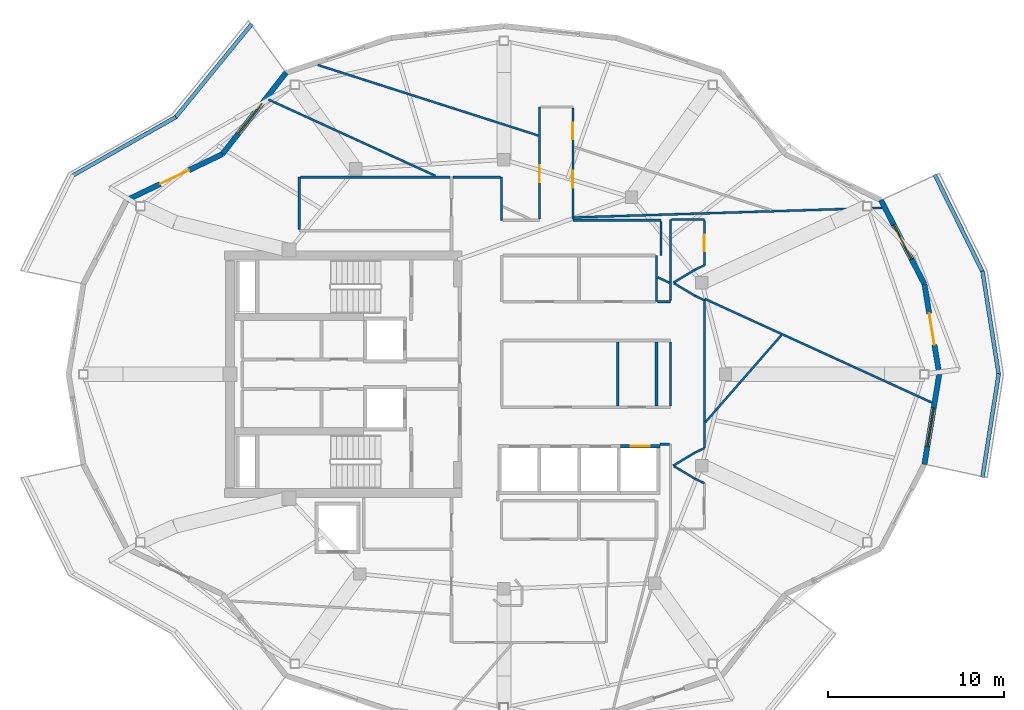
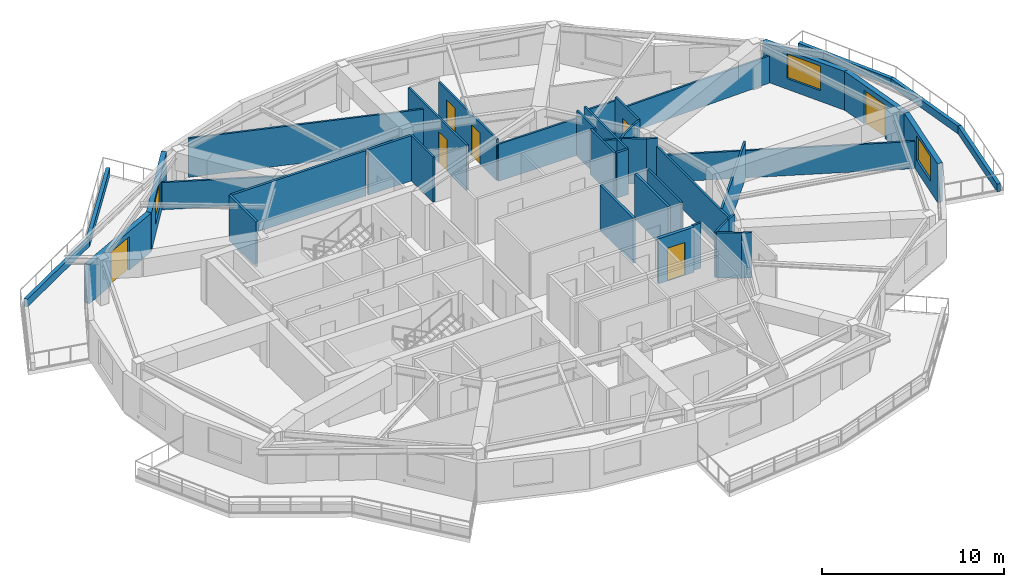
# One storey, part 6 of 11: 43 walls, 7 doors, 3 windows, 10 openings.
"""IFC4 building model written with IfcOpenShell, lengths in metres."""

import ifcopenshell
import ifcopenshell.guid

model = None  # the IFC model being written
_history = None  # IfcOwnerHistory: only IFC2X3 demands one
_inside = {}  # id of a spatial element -> (the spatial element, [elements in it])
_under = {}  # id of a project, library or spatial element -> (it, [spatial elements below it])
_declared = {}  # id of a project -> (the project, [libraries it declares])
_typed = {}  # id of a type object -> (the type object, [elements of that type])
_made_of = {}  # id of a material, layer set ... -> (it, [elements and type objects made of it])


def new_model(schema):
    """Start an empty IFC model of exactly this schema.

    Asked for "IFC4X3", IfcOpenShell would pick the latest addendum, in which some entities
    have other attributes; the version numbers below select the first issue.
    IFC2X3 requires an IfcOwnerHistory on every rooted entity: one is made here for all.
    """
    global model, _history
    if schema == "IFC4X3":
        model = ifcopenshell.file(schema_version=(4, 3, 0, 0))
    else:
        model = ifcopenshell.file(schema=schema)
    _inside.clear()
    _under.clear()
    _declared.clear()
    _typed.clear()
    _made_of.clear()
    _history = None
    if model.schema == "IFC2X3":
        org = make("IfcOrganization", Name="unknown")
        user = make(
            "IfcPersonAndOrganization",
            ThePerson=make("IfcPerson", FamilyName="unknown"),
            TheOrganization=org,
        )
        app = make(
            "IfcApplication",
            ApplicationDeveloper=org,
            Version="unknown",
            ApplicationFullName="unknown",
            ApplicationIdentifier="unknown",
        )
        _history = make(
            "IfcOwnerHistory",
            OwningUser=user,
            OwningApplication=app,
            ChangeAction="ADDED",
            CreationDate=0,
        )
    return model


def make(cls, **values):
    """One entity of the class cls with the attributes given. An attribute that is None is left unset."""
    return model.create_entity(
        cls, **{name: value for name, value in values.items() if value is not None}
    )


def rooted(cls, **values):
    """An entity with a GlobalId (a new one), such as an element, a storey or a relation."""
    return make(cls, GlobalId=ifcopenshell.guid.new(), OwnerHistory=_history, **values)


def si_unit(unit_type, name, prefix=None):
    """IfcSIUnit, for example si_unit("LENGTHUNIT", "METRE", prefix="MILLI")."""
    return make("IfcSIUnit", UnitType=unit_type, Prefix=prefix, Name=name)


def assignment(units):
    """IfcUnitAssignment: the units of a project."""
    return None if units is None else make("IfcUnitAssignment", Units=units)


def point(xyz):
    """IfcCartesianPoint."""
    return None if xyz is None else make("IfcCartesianPoint", Coordinates=xyz)


def direction(xyz):
    """IfcDirection."""
    return None if xyz is None else make("IfcDirection", DirectionRatios=xyz)


def frame(location, z_axis=None, x_axis=None):
    """IfcAxis2Placement3D, a coordinate frame: its origin and axes. An axis left out is left unset."""
    return make(
        "IfcAxis2Placement3D",
        Location=point(location),
        Axis=direction(z_axis),
        RefDirection=direction(x_axis),
    )


def frame_2d(location, x_axis=None):
    """IfcAxis2Placement2D, a coordinate frame in the plane: its origin and x axis."""
    return make(
        "IfcAxis2Placement2D", Location=point(location), RefDirection=direction(x_axis)
    )


def origin():
    """The frame at (0, 0, 0) with its axes left unset."""
    return frame((0.0, 0.0, 0.0))


def place(relative_to, where):
    """IfcLocalPlacement: puts the frame where relative to a parent placement (None: the world)."""
    return make(
        "IfcLocalPlacement", PlacementRelTo=relative_to, RelativePlacement=where
    )


def context(
    kind, dimensions, precision=None, world=None, true_north=None, identifier=None
):
    """IfcGeometricRepresentationContext, for example the 3D "Model" context."""
    return make(
        "IfcGeometricRepresentationContext",
        ContextIdentifier=identifier,
        ContextType=kind,
        CoordinateSpaceDimension=dimensions,
        Precision=precision,
        WorldCoordinateSystem=world,
        TrueNorth=true_north,
    )


def subcontext(parent, identifier, kind, view, scale=None):
    """IfcGeometricRepresentationSubContext, for example "Body" below "Model"."""
    return make(
        "IfcGeometricRepresentationSubContext",
        ContextIdentifier=identifier,
        ContextType=kind,
        ParentContext=parent,
        TargetScale=scale,
        TargetView=view,
    )


def project(units=None, contexts=None):
    """IfcProject with its units and contexts."""
    return rooted(
        "IfcProject",
        Name="project",
        RepresentationContexts=contexts,
        UnitsInContext=assignment(units),
    )


def spatial(cls, under=None, at=None, **own):
    """A site, building, storey or space (cls), placed at a placement, below another one or the project."""
    s = rooted(cls, ObjectPlacement=at, **own)
    if under is not None:
        _under.setdefault(under.id(), (under, []))[1].append(s)
    return s


def profile(cls, at=None, kind="AREA", **sizes):
    """A parametric profile (cls). Its sizes go by their IFC names, for example OverallWidth=200.0."""
    return make(cls, ProfileType=kind, Position=at, **sizes)


def rectangle(**sizes):
    """IfcRectangleProfileDef."""
    return profile("IfcRectangleProfileDef", **sizes)


def extrude(swept, where, along, depth):
    """IfcExtrudedAreaSolid: the profile swept, set in the frame where, extruded along a direction by depth."""
    return make(
        "IfcExtrudedAreaSolid",
        SweptArea=swept,
        Position=where,
        ExtrudedDirection=direction(along),
        Depth=depth,
    )


def shape(context_of_items, identifier, shape_type, items):
    """IfcShapeRepresentation: the items that make up one representation, for example the "Body"."""
    return make(
        "IfcShapeRepresentation",
        ContextOfItems=context_of_items,
        RepresentationIdentifier=identifier,
        RepresentationType=shape_type,
        Items=items,
    )


def material(Name=None, Category=None):
    """IfcMaterial."""
    return make("IfcMaterial", Name=Name, Category=Category)


def layer(
    of_material, thickness, ventilated=None, Name=None, Category=None, Priority=None
):
    """IfcMaterialLayer: one layer of a wall or slab, of a material (None: an air gap)."""
    return make(
        "IfcMaterialLayer",
        Material=of_material,
        LayerThickness=thickness,
        IsVentilated=ventilated,
        Name=Name,
        Category=Category,
        Priority=Priority,
    )


def layer_set(layers, Name=None):
    """IfcMaterialLayerSet."""
    return make("IfcMaterialLayerSet", MaterialLayers=layers, LayerSetName=Name)


def made_of(thing, what):
    """Note that an element or type object is made of a material, layer set ...; save() writes the relation."""
    if what is not None:
        _made_of.setdefault(what.id(), (what, []))[1].append(thing)
    return thing


def type_object(cls, material=None, **own):
    """A type object (cls), such as IfcWallType, which elements share."""
    return made_of(rooted(cls, **own), material)


def element(
    cls,
    number,
    at=None,
    inside=None,
    cuts=None,
    type_object=None,
    material=None,
    context=None,
    identifier="Body",
    shape_type=None,
    held_by="IfcProductDefinitionShape",
    body=None,
    shapes=None,
    **own,
):
    """One element of the class cls, such as IfcWall. Its Tag is "e" and its number.

    at: its placement. inside: the storey or other place that contains it. cuts: it is an
    opening in that element (IfcRelVoidsElement). A single representation is given by context,
    identifier, shape_type and body (its items); several are given by shapes. held_by: the class
    of the entity that holds the representations. save() writes the other relations.
    """
    e = rooted(cls, Tag="e%d" % number, ObjectPlacement=at, **own)
    if body is not None:
        shapes = [shape(context, identifier, shape_type, body)]
    if shapes is not None:
        e.Representation = make(held_by, Representations=shapes)
    if inside is not None:
        _inside.setdefault(inside.id(), (inside, []))[1].append(e)
    if cuts is not None:
        rooted(
            "IfcRelVoidsElement", RelatingBuildingElement=cuts, RelatedOpeningElement=e
        )
    if type_object is not None:
        _typed.setdefault(type_object.id(), (type_object, []))[1].append(e)
    return made_of(e, material)


def fill(opening, filler):
    """IfcRelFillsElement: the door or window that sits in an opening."""
    return rooted(
        "IfcRelFillsElement",
        RelatingOpeningElement=opening,
        RelatedBuildingElement=filler,
    )


def aggregate(whole, parts):
    """IfcRelAggregates: a whole, such as a stair, and the parts it consists of."""
    return rooted("IfcRelAggregates", RelatingObject=whole, RelatedObjects=parts)


def save(model, path):
    """Write the relations noted so far, then the file.

    IfcRelAggregates (storeys below a building ...), IfcRelContainedInSpatialStructure (elements
    in a storey), IfcRelDefinesByType, IfcRelAssociatesMaterial and IfcRelDeclares: one each for
    every whole, place, type object, material and project.
    """
    for whole, parts in _under.values():
        aggregate(whole, parts)
    for where, things in _inside.values():
        rooted(
            "IfcRelContainedInSpatialStructure",
            RelatedElements=things,
            RelatingStructure=where,
        )
    for kind, things in _typed.values():
        rooted("IfcRelDefinesByType", RelatedObjects=things, RelatingType=kind)
    for what, things in _made_of.values():
        rooted("IfcRelAssociatesMaterial", RelatedObjects=things, RelatingMaterial=what)
    for by, libraries in _declared.values():
        rooted("IfcRelDeclares", RelatingContext=by, RelatedDefinitions=libraries)
    model.write(path)


model = new_model("IFC4")

# Units and contexts
model_context = context("Model", 3, precision=1e-05, world=origin(), true_north=direction((0.0, 1.0)))
body_context = subcontext(model_context, "Body", "Model", "MODEL_VIEW")
ifc_project = project(units=[si_unit("LENGTHUNIT", "METRE"), si_unit("AREAUNIT", "SQUARE_METRE"), si_unit("VOLUMEUNIT", "CUBIC_METRE"), si_unit("PLANEANGLEUNIT", "RADIAN"), si_unit("MASSUNIT", "GRAM", prefix="KILO")], contexts=[model_context])

# Site, building, storey
site_placement = place(None, origin())
site = spatial("IfcSite", under=ifc_project, at=site_placement, CompositionType="ELEMENT")
building_placement = place(site_placement, origin())
building = spatial("IfcBuilding", under=site, at=building_placement, Name="Kolvaren Gate Tower and Convention Centre", CompositionType="ELEMENT")
storey_placement = place(building_placement, frame((0.0, 0.0, 236.0)))
storey = spatial("IfcBuildingStorey", under=building, at=storey_placement, Name="L63", CompositionType="ELEMENT", Elevation=236.0)

# Walls
ifc_material_1 = material(Name="Fire-Rated Acoustic Gypsum Stud Partition", Category="gypsum")
ifc_layer_1 = layer(ifc_material_1, 0.1201171875)
ifc_layer_set_1 = layer_set([ifc_layer_1], Name="Fire-Rated Acoustic Gypsum Stud Partition")
wall_type_1 = type_object("IfcWallType", Name="ARCH-WL-PART-120", PredefinedType="PARTITIONING", material=ifc_layer_set_1)
wall_1_placement = place(storey_placement, frame((30.0, 35.75, 0.0), z_axis=(0.0, 0.0, 1.0), x_axis=(0.0, 1.0, 0.0)))
element("IfcWall", 1, at=wall_1_placement, inside=storey, type_object=wall_type_1, Name="Interior Partition WL-L63-INT-017", PredefinedType="PARTITIONING", context=body_context, shape_type="SweptSolid", body=[
    extrude(rectangle(XDim=2.449951171875, YDim=0.1201171875, at=frame_2d((1.22509765625, 0.0))), origin(), (0.0, 0.0, 1.0), 3.030029296875),
])
wall_2_placement = place(storey_placement, frame((38.800048828125, 31.1201171875, 0.0), z_axis=(0.0, 0.0, 1.0), x_axis=(0.0, 1.0, 0.0)))
element("IfcWall", 2, at=wall_2_placement, inside=storey, type_object=wall_type_1, Name="Interior Partition WL-L63-INT-022", PredefinedType="PARTITIONING", context=body_context, shape_type="SweptSolid", body=[
    extrude(rectangle(XDim=2.6298828125, YDim=0.1201171875, at=frame_2d((1.31494140625, 0.0))), origin(), (0.0, 0.0, 1.0), 3.030029296875),
])
wall_3_placement = place(storey_placement, frame((34.050048828125, 35.75, 0.0), z_axis=(0.0, 0.0, 1.0), x_axis=(1.0, 0.0, 0.0)))
element("IfcWall", 3, at=wall_3_placement, inside=storey, type_object=wall_type_1, Name="Interior Partition WL-L63-INT-033", PredefinedType="PARTITIONING", context=body_context, shape_type="SweptSolid", body=[
    extrude(rectangle(XDim=5.0, YDim=0.1201171875, at=frame_2d((2.5, 0.0))), origin(), (0.0, 0.0, 1.0), 2.47802734375),
])

# Wall, opening, door
wall_4_placement = place(storey_placement, frame((32.14990234375, 35.81201171875, 0.0), z_axis=(0.0, 0.0, 1.0), x_axis=(0.0, 1.0, 0.0)))
wall_4 = element("IfcWall", 4, at=wall_4_placement, inside=storey, type_object=wall_type_1, Name="Interior Partition WL-L63-INT-034", PredefinedType="PARTITIONING", context=body_context, shape_type="SweptSolid", body=[
    extrude(rectangle(XDim=6.387939453125, YDim=0.1201171875, at=frame_2d((3.19384765625, 0.0))), origin(), (0.0, 0.0, 1.0), 3.030029296875),
])
opening_1_placement = place(wall_4_placement, frame((2.10302734375, 0.0, 0.0)))
opening_1 = element("IfcOpeningElement", 5, at=opening_1_placement, cuts=wall_4, Name="Opening DR-01", PredefinedType="OPENING", context=body_context, shape_type="SweptSolid", body=[
    extrude(rectangle(XDim=0.949951171875, YDim=2.10009765625, at=frame_2d((0.47509765625, 1.050048828125))), frame((0.0, 0.070068359375, 0.0), z_axis=(0.0, -1.0, 0.0), x_axis=(1.0, 0.0, 0.0)), (0.0, 0.0, 1.0), 0.14013671875),
])
ifc_material_2 = material(Name="Painted Architectural Steelwork ASTM A500 Grade C 345 MPa", Category="steel")
door_type_1 = type_object("IfcDoorType", Name="ARCH-DR-RISER-950", OperationType="SINGLE_SWING_RIGHT", PredefinedType="DOOR", material=ifc_material_2)
door_1_placement = place(opening_1_placement, origin())
door_1 = element("IfcDoor", 6, at=door_1_placement, inside=storey, type_object=door_type_1, Name="Resident Gourmet Market Boutique Door", OperationType="SINGLE_SWING_LEFT", OverallHeight=2.10009765625, OverallWidth=0.949951171875, PredefinedType="DOOR", context=body_context, shape_type="SweptSolid", body=[
    extrude(rectangle(XDim=0.949951171875, YDim=2.10009765625, at=frame_2d((0.47509765625, 1.050048828125))), frame((0.0, 0.02490234375, 0.0), z_axis=(0.0, -1.0, 0.0), x_axis=(1.0, 0.0, 0.0)), (0.0, 0.0, 1.0), 0.050048828125),
])
fill(opening_1, door_1)

# Wall, openings, doors
wall_5_placement = place(storey_placement, frame((34.050048828125, 35.81201171875, 0.0), z_axis=(0.0, 0.0, 1.0), x_axis=(0.0, 1.0, 0.0)))
wall_5 = element("IfcWall", 7, at=wall_5_placement, inside=storey, type_object=wall_type_1, Name="Interior Partition WL-L63-INT-036", PredefinedType="PARTITIONING", context=body_context, shape_type="SweptSolid", body=[
    extrude(rectangle(XDim=6.325927734375, YDim=0.1201171875, at=frame_2d((3.1630859375, 0.0))), origin(), (0.0, 0.0, 1.0), 2.77001953125),
])
opening_2_placement = place(wall_5_placement, frame((1.799072265625, 0.0, 0.0)))
opening_2 = element("IfcOpeningElement", 8, at=opening_2_placement, cuts=wall_5, Name="Opening DR-01", PredefinedType="OPENING", context=body_context, shape_type="SweptSolid", body=[
    extrude(rectangle(XDim=0.949951171875, YDim=2.10009765625, at=frame_2d((0.47509765625, 1.050048828125))), frame((0.0, 0.070068359375, 0.0), z_axis=(0.0, -1.0, 0.0), x_axis=(1.0, 0.0, 0.0)), (0.0, 0.0, 1.0), 0.14013671875),
])
opening_3_placement = place(wall_5_placement, frame((4.5400390625, 0.0, 0.0)))
opening_3 = element("IfcOpeningElement", 9, at=opening_3_placement, cuts=wall_5, Name="Opening DR-01", PredefinedType="OPENING", context=body_context, shape_type="SweptSolid", body=[
    extrude(rectangle(XDim=0.949951171875, YDim=2.10009765625, at=frame_2d((0.47509765625, 1.050048828125))), frame((0.0, 0.070068359375, 0.0), z_axis=(0.0, -1.0, 0.0), x_axis=(1.0, 0.0, 0.0)), (0.0, 0.0, 1.0), 0.14013671875),
])
door_2_placement = place(opening_2_placement, origin())
door_2 = element("IfcDoor", 10, at=door_2_placement, inside=storey, type_object=door_type_1, Name="Resident Gourmet Market Boutique Door", OperationType="SINGLE_SWING_LEFT", OverallHeight=2.10009765625, OverallWidth=0.949951171875, PredefinedType="DOOR", context=body_context, shape_type="SweptSolid", body=[
    extrude(rectangle(XDim=0.949951171875, YDim=2.10009765625, at=frame_2d((0.47509765625, 1.050048828125))), frame((0.0, 0.02490234375, 0.0), z_axis=(0.0, -1.0, 0.0), x_axis=(1.0, 0.0, 0.0)), (0.0, 0.0, 1.0), 0.050048828125),
])
fill(opening_2, door_2)
door_3_placement = place(opening_3_placement, origin())
door_3 = element("IfcDoor", 11, at=door_3_placement, inside=storey, type_object=door_type_1, Name="Resident Private Study and Home Office Door", OperationType="SINGLE_SWING_RIGHT", OverallHeight=2.10009765625, OverallWidth=0.949951171875, PredefinedType="DOOR", context=body_context, shape_type="SweptSolid", body=[
    extrude(rectangle(XDim=0.949951171875, YDim=2.10009765625, at=frame_2d((0.47509765625, 1.050048828125))), frame((0.0, 0.02490234375, 0.0), z_axis=(0.0, -1.0, 0.0), x_axis=(1.0, 0.0, 0.0)), (0.0, 0.0, 1.0), 0.050048828125),
])
fill(opening_3, door_3)

# Walls
wall_6_placement = place(storey_placement, frame((39.050048828125, 33.75, 0.0), z_axis=(0.0, 0.0, 1.0), x_axis=(0.0, 1.0, 0.0)))
element("IfcWall", 12, at=wall_6_placement, inside=storey, type_object=wall_type_1, Name="Interior Partition WL-L63-INT-037", PredefinedType="PARTITIONING", context=body_context, shape_type="SweptSolid", body=[
    extrude(rectangle(XDim=1.93798828125, YDim=0.1201171875, at=frame_2d((0.968994140625, 0.0))), origin(), (0.0, 0.0, 1.0), 3.030029296875),
])
wall_7_placement = place(storey_placement, frame((39.60009765625, 25.197021484375, 0.0), z_axis=(0.0, 0.0, 1.0), x_axis=(0.0, 1.0, 0.0)))
element("IfcWall", 13, at=wall_7_placement, inside=storey, type_object=wall_type_1, Name="Interior Partition WL-L63-INT-039", PredefinedType="PARTITIONING", context=body_context, shape_type="SweptSolid", body=[
    extrude(rectangle(XDim=3.64599609375, YDim=0.1201171875, at=frame_2d((1.822998046875, 0.0))), origin(), (0.0, 0.0, 1.0), 3.030029296875),
])
wall_8_placement = place(storey_placement, frame((39.60009765625, 31.197021484375, 0.0), z_axis=(0.0, 0.0, 1.0), x_axis=(0.0, 1.0, 0.0)))
element("IfcWall", 14, at=wall_8_placement, inside=storey, type_object=wall_type_1, Name="Interior Partition WL-L63-INT-040", PredefinedType="PARTITIONING", context=body_context, shape_type="SweptSolid", body=[
    extrude(rectangle(XDim=4.60302734375, YDim=0.1201171875, at=frame_2d((2.301513671875, 0.0))), origin(), (0.0, 0.0, 1.0), 3.030029296875),
])
wall_9_placement = place(storey_placement, frame((39.662109375, 35.800048828125, 0.0), z_axis=(0.0, 0.0, 1.0), x_axis=(1.0, 0.0, 0.0)))
element("IfcWall", 15, at=wall_9_placement, inside=storey, type_object=wall_type_1, Name="Interior Partition WL-L63-INT-041", PredefinedType="PARTITIONING", context=body_context, shape_type="SweptSolid", body=[
    extrude(rectangle(XDim=1.85791015625, YDim=0.1201171875, at=frame_2d((0.928955078125, 0.0))), origin(), (0.0, 0.0, 1.0), 2.77001953125),
])
wall_10_placement = place(storey_placement, frame((41.52001953125, 22.7939453125, 0.0), z_axis=(0.0, 0.0, 1.0), x_axis=(0.0, 1.0, 0.0)))
element("IfcWall", 16, at=wall_10_placement, inside=storey, type_object=wall_type_1, Name="Interior Partition WL-L63-INT-043", PredefinedType="PARTITIONING", context=body_context, shape_type="SweptSolid", body=[
    extrude(rectangle(XDim=8.412109375, YDim=0.1201171875, at=frame_2d((4.2060546875, 0.0))), origin(), (0.0, 0.0, 1.0), 2.47802734375),
])

# Wall, opening, door
wall_11_placement = place(storey_placement, frame((41.52001953125, 33.193115234375, 0.0), z_axis=(0.0, 0.0, 1.0), x_axis=(0.0, 1.0, 0.0)))
wall_11 = element("IfcWall", 17, at=wall_11_placement, inside=storey, type_object=wall_type_1, Name="Interior Partition WL-L63-INT-044", PredefinedType="PARTITIONING", context=body_context, shape_type="SweptSolid", body=[
    extrude(rectangle(XDim=2.544921875, YDim=0.1201171875, at=frame_2d((1.2724609375, 0.0))), origin(), (0.0, 0.0, 1.0), 3.030029296875),
])
opening_4_placement = place(wall_11_placement, frame((0.797607421875, 0.0, 0.0)))
opening_4 = element("IfcOpeningElement", 18, at=opening_4_placement, cuts=wall_11, Name="Opening DR-01", PredefinedType="OPENING", context=body_context, shape_type="SweptSolid", body=[
    extrude(rectangle(XDim=0.949951171875, YDim=2.10009765625, at=frame_2d((0.47509765625, 1.050048828125))), frame((0.0, 0.070068359375, 0.0), z_axis=(0.0, -1.0, 0.0), x_axis=(1.0, 0.0, 0.0)), (0.0, 0.0, 1.0), 0.14013671875),
])
door_4_placement = place(opening_4_placement, origin())
door_4 = element("IfcDoor", 19, at=door_4_placement, inside=storey, type_object=door_type_1, Name="Resident Private Study Door", OperationType="SINGLE_SWING_RIGHT", OverallHeight=2.10009765625, OverallWidth=0.949951171875, PredefinedType="DOOR", context=body_context, shape_type="SweptSolid", body=[
    extrude(rectangle(XDim=0.949951171875, YDim=2.10009765625, at=frame_2d((0.47509765625, 1.050048828125))), frame((0.0, 0.02490234375, 0.0), z_axis=(0.0, -1.0, 0.0), x_axis=(1.0, 0.0, 0.0)), (0.0, 0.0, 1.0), 0.050048828125),
])
fill(opening_4, door_4)

# Walls
wall_12_placement = place(storey_placement, frame((40.986083984375, 32.93994140625, 0.0), z_axis=(0.0, 0.0, 1.0), x_axis=(0.90356951601, 0.428441512621, 0.0)))
element("IfcWall", 20, at=wall_12_placement, inside=storey, type_object=wall_type_1, Name="Interior Partition WL-L63-INT-045", PredefinedType="PARTITIONING", context=body_context, shape_type="SweptSolid", body=[
    extrude(rectangle(XDim=0.5908203125, YDim=0.1201171875, at=frame_2d((0.29541015625, 0.0))), origin(), (0.0, 0.0, 1.0), 3.030029296875),
])
wall_13_placement = place(storey_placement, frame((39.75, 32.198974609375, 0.0), z_axis=(0.0, 0.0, 1.0), x_axis=(0.857702120906, 0.514146935996, 0.0)))
element("IfcWall", 21, at=wall_13_placement, inside=storey, type_object=wall_type_1, Name="Interior Partition WL-L63-INT-046", PredefinedType="PARTITIONING", context=body_context, shape_type="SweptSolid", body=[
    extrude(rectangle(XDim=1.441162109375, YDim=0.1201171875, at=frame_2d((0.720703125, 0.0))), origin(), (0.0, 0.0, 1.0), 3.030029296875),
])
wall_14_placement = place(storey_placement, frame((39.810302734375, 32.162841796875, 0.0), z_axis=(0.0, 0.0, 1.0), x_axis=(0.858011245414, -0.513630901273, 0.0)))
element("IfcWall", 22, at=wall_14_placement, inside=storey, type_object=wall_type_1, Name="Interior Partition WL-L63-INT-047", PredefinedType="PARTITIONING", context=body_context, shape_type="SweptSolid", body=[
    extrude(rectangle(XDim=1.370361328125, YDim=0.1201171875, at=frame_2d((0.68505859375, 0.0))), origin(), (0.0, 0.0, 1.0), 3.030029296875),
])
for number, where, z_axis, x_axis, name in (
    (23, (40.986083984375, 31.458984375, 0.0), (0.0, 0.0, 1.0), (0.903729424576, -0.428104107847, 0.0), "Interior Partition WL-L63-INT-048"),
    (24, (40.986083984375, 22.541015625, 0.0), (0.0, 0.0, 1.0), (0.903729424576, 0.428104107847, 0.0), "Interior Partition WL-L63-INT-049"),
):
    element("IfcWall", number, at=place(storey_placement, frame(where, z_axis=z_axis, x_axis=x_axis)), inside=storey, type_object=wall_type_1, Name=name, PredefinedType="PARTITIONING", context=body_context, shape_type="SweptSolid", body=[
        extrude(rectangle(XDim=0.5908203125, YDim=0.1201171875, at=frame_2d((0.29541015625, 0.0))), origin(), (0.0, 0.0, 1.0), 3.030029296875),
    ])
wall_15_placement = place(storey_placement, frame((39.75, 21.800048828125, 0.0), z_axis=(0.0, 0.0, 1.0), x_axis=(0.857702120906, 0.514146935996, 0.0)))
element("IfcWall", 25, at=wall_15_placement, inside=storey, type_object=wall_type_1, Name="Interior Partition WL-L63-INT-050", PredefinedType="PARTITIONING", context=body_context, shape_type="SweptSolid", body=[
    extrude(rectangle(XDim=1.441162109375, YDim=0.1201171875, at=frame_2d((0.720703125, 0.0))), origin(), (0.0, 0.0, 1.0), 3.030029296875),
])
wall_16_placement = place(storey_placement, frame((39.810302734375, 21.763916015625, 0.0), z_axis=(0.0, 0.0, 1.0), x_axis=(0.858011245414, -0.513630901273, 0.0)))
element("IfcWall", 26, at=wall_16_placement, inside=storey, type_object=wall_type_1, Name="Interior Partition WL-L63-INT-051", PredefinedType="PARTITIONING", context=body_context, shape_type="SweptSolid", body=[
    extrude(rectangle(XDim=1.370361328125, YDim=0.1201171875, at=frame_2d((0.68505859375, 0.0))), origin(), (0.0, 0.0, 1.0), 3.030029296875),
])
wall_17_placement = place(storey_placement, frame((40.986083984375, 21.06005859375, 0.0), z_axis=(0.0, 0.0, 1.0), x_axis=(0.90356951601, -0.428441512621, 0.0)))
element("IfcWall", 27, at=wall_17_placement, inside=storey, type_object=wall_type_1, Name="Interior Partition WL-L63-INT-052", PredefinedType="PARTITIONING", context=body_context, shape_type="SweptSolid", body=[
    extrude(rectangle(XDim=0.5908203125, YDim=0.1201171875, at=frame_2d((0.29541015625, 0.0))), origin(), (0.0, 0.0, 1.0), 3.030029296875),
])
wall_18_placement = place(storey_placement, frame((39.0, 23.02001953125, 0.0), z_axis=(0.0, 0.0, 1.0), x_axis=(1.0, 0.0, 0.0)))
element("IfcWall", 28, at=wall_18_placement, inside=storey, type_object=wall_type_1, Name="Interior Partition WL-L63-INT-054", PredefinedType="PARTITIONING", context=body_context, shape_type="SweptSolid", body=[
    extrude(rectangle(XDim=0.5380859375, YDim=0.1201171875, at=frame_2d((0.26904296875, 0.0))), origin(), (0.0, 0.0, 1.0), 3.030029296875),
])
wall_19_placement = place(storey_placement, frame((16.7421875, 42.61328125, 0.0), z_axis=(0.0, 0.0, 1.0), x_axis=(0.909603068398, -0.415478348365, 0.0)))
element("IfcWall", 29, at=wall_19_placement, inside=storey, type_object=wall_type_1, Name="Interior Partition WL-L63-INT-063", PredefinedType="PARTITIONING", context=body_context, shape_type="SweptSolid", body=[
    extrude(rectangle(XDim=10.4365234375, YDim=0.1201171875, at=frame_2d((5.21826171875, 0.0))), origin(), (0.0, 0.0, 1.0), 1.822509765625),
])
wall_20_placement = place(storey_placement, frame((38.862060546875, 32.509521484375, 0.0), z_axis=(0.0, 0.0, 1.0), x_axis=(0.909577362943, -0.415534620485, 0.0)))
element("IfcWall", 30, at=wall_20_placement, inside=storey, type_object=wall_type_1, Name="Interior Partition WL-L63-INT-065", PredefinedType="PARTITIONING", context=body_context, shape_type="SweptSolid", body=[
    extrude(rectangle(XDim=0.7431640625, YDim=0.1201171875, at=frame_2d((0.37158203125, 0.0))), origin(), (0.0, 0.0, 1.0), 3.030029296875),
])
wall_21_placement = place(storey_placement, frame((41.5546875, 31.279296875, 0.0), z_axis=(0.0, 0.0, 1.0), x_axis=(0.909606839037, -0.41547009324, 0.0)))
element("IfcWall", 31, at=wall_21_placement, inside=storey, type_object=wall_type_1, Name="Interior Partition WL-L63-INT-066", PredefinedType="PARTITIONING", context=body_context, shape_type="SweptSolid", body=[
    extrude(rectangle(XDim=14.182861328125, YDim=0.1201171875, at=frame_2d((7.09130859375, 0.0))), origin(), (0.0, 0.0, 1.0), 1.822509765625),
])
wall_22_placement = place(storey_placement, frame((41.58203125, 24.2724609375, 0.0), z_axis=(0.0, 0.0, 1.0), x_axis=(0.657567979998, 0.753395216126, 0.0)))
element("IfcWall", 32, at=wall_22_placement, inside=storey, type_object=wall_type_1, Name="Interior Partition WL-L63-INT-069", PredefinedType="PARTITIONING", context=body_context, shape_type="SweptSolid", body=[
    extrude(rectangle(XDim=6.572998046875, YDim=0.1201171875, at=frame_2d((3.28662109375, 0.0))), origin(), (0.0, 0.0, 1.0), 2.47802734375),
])
wall_23_placement = place(storey_placement, frame((34.112060546875, 35.911865234375, 0.0), z_axis=(0.0, 0.0, 1.0), x_axis=(0.999512755879, 0.031212991442, 0.0)))
element("IfcWall", 33, at=wall_23_placement, inside=storey, type_object=wall_type_1, Name="Interior Partition WL-L63-INT-072", PredefinedType="PARTITIONING", context=body_context, shape_type="SweptSolid", body=[
    extrude(rectangle(XDim=17.512939453125, YDim=0.1201171875, at=frame_2d((8.75634765625, 0.0))), origin(), (0.0, 0.0, 1.0), 1.822509765625),
])
wall_24_placement = place(storey_placement, frame((19.54150390625, 44.580810546875, 0.0), z_axis=(0.0, 0.0, 1.0), x_axis=(0.952423071243, -0.304779089445, 0.0)))
element("IfcWall", 34, at=wall_24_placement, inside=storey, type_object=wall_type_1, Name="Interior Partition WL-L63-INT-073", PredefinedType="PARTITIONING", context=body_context, shape_type="SweptSolid", body=[
    extrude(rectangle(XDim=13.173095703125, YDim=0.1201171875, at=frame_2d((6.58642578125, 0.0))), origin(), (0.0, 0.0, 1.0), 2.60498046875),
])
ifc_material_3 = material(Name="Piedmont Cream Honed Limestone Cladding", Category="masonry")
ifc_layer_2 = layer(ifc_material_3, 0.219970703125)
ifc_layer_set_2 = layer_set([ifc_layer_2], Name="Piedmont Cream Honed Limestone Cladding")
wall_type_2 = type_object("IfcWallType", Name="ARCH-WL-PLANTER-220", PredefinedType="PARAPET", material=ifc_layer_set_2)
wall_25_placement = place(storey_placement, frame((11.42724609375, 41.55859375, 0.0), z_axis=(0.0, 0.0, 1.0), x_axis=(0.632697312147, 0.774399193699, 0.0)))
element("IfcWall", 35, at=wall_25_placement, inside=storey, type_object=wall_type_2, Name="Vertical-Forest Balcony Stone Planter Kerb PK-L63-1.1", PredefinedType="PARAPET", context=body_context, shape_type="SweptSolid", body=[
    extrude(rectangle(XDim=6.9140625, YDim=0.219970703125, at=frame_2d((3.45703125, 0.0))), origin(), (0.0, 0.0, 1.0), 0.52001953125),
])
wall_26_placement = place(storey_placement, frame((5.6083984375, 38.29052734375, 0.0), z_axis=(0.0, 0.0, 1.0), x_axis=(0.869860619267, 0.493297580623, 0.0)))
element("IfcWall", 36, at=wall_26_placement, inside=storey, type_object=wall_type_2, Name="Vertical-Forest Balcony Stone Planter Kerb PK-L63-1.2", PredefinedType="PARAPET", context=body_context, shape_type="SweptSolid", body=[
    extrude(rectangle(XDim=6.74267578125, YDim=0.219970703125, at=frame_2d((3.371337890625, 0.0))), origin(), (0.0, 0.0, 1.0), 0.52001953125),
])
for number, where, z_axis, x_axis, name in (
    (37, (57.331787109375, 21.1376953125, 0.0), (0.0, 0.0, 1.0), (0.1550711793, 0.987903299595, 0.0), "Vertical-Forest Balcony Stone Planter Kerb PK-L63-4.1"),
    (38, (57.331787109375, 32.8623046875, 0.0), (0.0, 0.0, 1.0), (0.1550711793, -0.987903299595, 0.0), "Vertical-Forest Balcony Stone Planter Kerb PK-L63-4.2"),
):
    element("IfcWall", number, at=place(storey_placement, frame(where, z_axis=z_axis, x_axis=x_axis)), inside=storey, type_object=wall_type_2, Name=name, PredefinedType="PARAPET", context=body_context, shape_type="SweptSolid", body=[
        extrude(rectangle(XDim=5.963623046875, YDim=0.219970703125, at=frame_2d((2.98193359375, 0.0))), origin(), (0.0, 0.0, 1.0), 0.52001953125),
    ])
wall_27_placement = place(storey_placement, frame((54.615966796875, 38.3466796875, 0.0), z_axis=(0.0, 0.0, 1.0), x_axis=(0.441640961804, -0.897191875162, 0.0)))
element("IfcWall", 39, at=wall_27_placement, inside=storey, type_object=wall_type_2, Name="Vertical-Forest Balcony Stone Planter Kerb PK-L63-4.3", PredefinedType="PARAPET", context=body_context, shape_type="SweptSolid", body=[
    extrude(rectangle(XDim=6.17822265625, YDim=0.219970703125, at=frame_2d((3.089111328125, 0.0))), origin(), (0.0, 0.0, 1.0), 0.52001953125),
])

# Wall, opening, door
ifc_material_4 = material(Name="Autoclaved Aerated Masonry Blockwork Class 4 (4.0 MPa)", Category="masonry")
ifc_layer_3 = layer(ifc_material_4, 0.199951171875)
ifc_layer_set_3 = layer_set([ifc_layer_3], Name="Autoclaved Aerated Masonry Blockwork Class 4 (4.0 MPa)")
wall_type_3 = type_object("IfcWallType", Name="ARCH-WL-SHAFT-200", PredefinedType="SOLIDWALL", material=ifc_layer_set_3)
wall_28_placement = place(storey_placement, frame((36.75, 22.89990234375, 0.0), z_axis=(0.0, 0.0, 1.0), x_axis=(1.0, 0.0, 0.0)))
wall_28 = element("IfcWall", 40, at=wall_28_placement, inside=storey, type_object=wall_type_3, Name="Elevator PL-12 L63 Fire Shaft Wall N", PredefinedType="SOLIDWALL", context=body_context, shape_type="SweptSolid", body=[
    extrude(rectangle(XDim=2.25, YDim=0.199951171875, at=frame_2d((1.125, 0.0))), origin(), (0.0, 0.0, 1.0), 3.030029296875),
])
opening_5_placement = place(wall_28_placement, frame((0.574951171875, 0.0, 0.0)))
opening_5 = element("IfcOpeningElement", 41, at=opening_5_placement, cuts=wall_28, Name="Opening LD", PredefinedType="OPENING", context=body_context, shape_type="SweptSolid", body=[
    extrude(rectangle(XDim=1.10009765625, YDim=2.199951171875, at=frame_2d((0.550048828125, 1.10009765625))), frame((0.0, 0.10986328125, 0.0), z_axis=(0.0, -1.0, 0.0), x_axis=(1.0, 0.0, 0.0)), (0.0, 0.0, 1.0), 0.219970703125),
])
ifc_material_5 = material(Name="Brushed Stainless Steel Grade 316L", Category="steel")
door_type_2 = type_object("IfcDoorType", Name="ARCH-DR-LIFT-1100", OperationType="SLIDING_TO_LEFT", PredefinedType="DOOR", material=ifc_material_5)
door_5_placement = place(opening_5_placement, origin())
door_5 = element("IfcDoor", 42, at=door_5_placement, inside=storey, type_object=door_type_2, Name="Elevator PL-12 L63 Sliding Landing Door", OperationType="SLIDING_TO_LEFT", OverallHeight=2.199951171875, OverallWidth=1.10009765625, PredefinedType="DOOR", context=body_context, shape_type="SweptSolid", body=[
    extrude(rectangle(XDim=1.10009765625, YDim=2.199951171875, at=frame_2d((0.550048828125, 1.10009765625))), frame((0.0, 0.02490234375, 0.0), z_axis=(0.0, -1.0, 0.0), x_axis=(1.0, 0.0, 0.0)), (0.0, 0.0, 1.0), 0.050048828125),
])
fill(opening_5, door_5)

ifc_layer_4 = layer(ifc_material_3, 0.300048828125)
ifc_layer_set_4 = layer_set([ifc_layer_4], Name="Piedmont Cream Honed Limestone Cladding")
wall_type_4 = type_object("IfcWallType", Name="ARCH-WL-STONE-300", PredefinedType="SOLIDWALL", material=ifc_layer_set_4)
wall_29_placement = place(storey_placement, frame((54.03173828125, 32.12451171875, 0.0), z_axis=(0.0, 0.0, 1.0), x_axis=(0.16237087798, -0.986729799886, 0.0)))
wall_29 = element("IfcWall", 43, at=wall_29_placement, inside=storey, type_object=wall_type_4, Name="Tower L63 Honed Stone Spandrel Wall EW-00", PredefinedType="SOLIDWALL", context=body_context, shape_type="SweptSolid", body=[
    extrude(rectangle(XDim=5.193359375, YDim=0.300048828125, at=frame_2d((2.5966796875, 0.0))), origin(), (0.0, 0.0, 1.0), 2.60498046875),
])
opening_6_placement = place(wall_29_placement, frame((1.697021484375, 0.0, 0.0)))
opening_6 = element("IfcOpeningElement", 44, at=opening_6_placement, cuts=wall_29, Name="Opening DB-01", PredefinedType="OPENING", context=body_context, shape_type="SweptSolid", body=[
    extrude(rectangle(XDim=1.800048828125, YDim=2.25, at=frame_2d((0.89990234375, 1.125))), frame((0.0, 0.159912109375, 0.0), z_axis=(0.0, -1.0, 0.0), x_axis=(1.0, 0.0, 0.0)), (0.0, 0.0, 1.0), 0.320068359375),
])
ifc_material_6 = material(Name="Anodized Architectural Aluminium Alloy 6063-T6", Category="aluminium")
door_type_3 = type_object("IfcDoorType", Name="ARCH-DR-BALC-1800", OperationType="SLIDING_TO_LEFT", PredefinedType="DOOR", material=ifc_material_6)
door_6_placement = place(opening_6_placement, origin())
door_6 = element("IfcDoor", 45, at=door_6_placement, inside=storey, type_object=door_type_3, Name="Planted Sky Terrace Access Door DB-L63-00", OperationType="SLIDING_TO_LEFT", OverallHeight=2.25, OverallWidth=1.800048828125, PredefinedType="DOOR", context=body_context, shape_type="SweptSolid", body=[
    extrude(rectangle(XDim=1.800048828125, YDim=2.25, at=frame_2d((0.89990234375, 1.125))), frame((0.0, 0.02490234375, 0.0), z_axis=(0.0, -1.0, 0.0), x_axis=(1.0, 0.0, 0.0)), (0.0, 0.0, 1.0), 0.050048828125),
])
fill(opening_6, door_6)

# Wall, opening, window
wall_30_placement = place(storey_placement, frame((51.55908203125, 36.89990234375, 0.0), z_axis=(0.0, 0.0, 1.0), x_axis=(0.459808219482, -0.888018243786, 0.0)))
wall_30 = element("IfcWall", 46, at=wall_30_placement, inside=storey, type_object=wall_type_4, Name="Tower L63 Honed Stone Spandrel Wall EW-01", PredefinedType="SOLIDWALL", context=body_context, shape_type="SweptSolid", body=[
    extrude(rectangle(XDim=5.377685546875, YDim=0.300048828125, at=frame_2d((2.68896484375, 0.0))), origin(), (0.0, 0.0, 1.0), 2.60498046875),
])
opening_7_placement = place(wall_30_placement, frame((1.589111328125, 0.0, 0.719970703125)))
opening_7 = element("IfcOpeningElement", 47, at=opening_7_placement, cuts=wall_30, Name="Opening W-03", PredefinedType="OPENING", context=body_context, shape_type="SweptSolid", body=[
    extrude(rectangle(XDim=2.199951171875, YDim=1.64990234375, at=frame_2d((1.10009765625, 0.824951171875))), frame((0.0, 0.159912109375, 0.0), z_axis=(0.0, -1.0, 0.0), x_axis=(1.0, 0.0, 0.0)), (0.0, 0.0, 1.0), 0.320068359375),
])
ifc_material_7 = material(Name="Low-E Triple Insulated Glazing Unit 44 mm", Category="glass")
window_type = type_object("IfcWindowType", Name="ARCH-WN-RES-2200", PartitioningType="SINGLE_PANEL", PredefinedType="WINDOW", material=ifc_material_7)
window_1_placement = place(opening_7_placement, origin())
window_1 = element("IfcWindow", 48, at=window_1_placement, inside=storey, type_object=window_type, Name="Tower L63 Punched Stone Facade Window W-01", OverallHeight=1.64990234375, OverallWidth=2.199951171875, PartitioningType="SINGLE_PANEL", PredefinedType="WINDOW", context=body_context, shape_type="SweptSolid", body=[
    extrude(rectangle(XDim=2.199951171875, YDim=1.64990234375, at=frame_2d((1.10009765625, 0.824951171875))), frame((0.0, 0.030029296875, 0.0), z_axis=(0.0, -1.0, 0.0), x_axis=(1.0, 0.0, 0.0)), (0.0, 0.0, 1.0), 0.06005859375),
])
fill(opening_7, window_1)

wall_31_placement = place(storey_placement, frame((14.117431640625, 39.50732421875, 0.0), z_axis=(0.0, 0.0, 1.0), x_axis=(0.616450126935, 0.787393955401, 0.0)))
wall_31 = element("IfcWall", 49, at=wall_31_placement, inside=storey, type_object=wall_type_4, Name="Tower L63 Honed Stone Spandrel Wall EW-08", PredefinedType="SOLIDWALL", context=body_context, shape_type="SweptSolid", body=[
    extrude(rectangle(XDim=5.892822265625, YDim=0.300048828125, at=frame_2d((2.9462890625, 0.0))), origin(), (0.0, 0.0, 1.0), 2.60498046875),
])
opening_8_placement = place(wall_31_placement, frame((1.449951171875, 0.0, 0.719970703125)))
opening_8 = element("IfcOpeningElement", 50, at=opening_8_placement, cuts=wall_31, Name="Opening W-03", PredefinedType="OPENING", context=body_context, shape_type="SweptSolid", body=[
    extrude(rectangle(XDim=2.199951171875, YDim=1.64990234375, at=frame_2d((1.10009765625, 0.824951171875))), frame((0.0, 0.159912109375, 0.0), z_axis=(0.0, -1.0, 0.0), x_axis=(1.0, 0.0, 0.0)), (0.0, 0.0, 1.0), 0.320068359375),
])
window_2_placement = place(opening_8_placement, origin())
window_2 = element("IfcWindow", 51, at=window_2_placement, inside=storey, type_object=window_type, Name="Tower L63 Punched Stone Facade Window W-08", OverallHeight=1.64990234375, OverallWidth=2.199951171875, PartitioningType="SINGLE_PANEL", PredefinedType="WINDOW", context=body_context, shape_type="SweptSolid", body=[
    extrude(rectangle(XDim=2.199951171875, YDim=1.64990234375, at=frame_2d((1.10009765625, 0.824951171875))), frame((0.0, 0.030029296875, 0.0), z_axis=(0.0, -1.0, 0.0), x_axis=(1.0, 0.0, 0.0)), (0.0, 0.0, 1.0), 0.06005859375),
])
fill(opening_8, window_2)

# Wall, opening, door
wall_32_placement = place(storey_placement, frame((8.69091796875, 36.89990234375, 0.0), z_axis=(0.0, 0.0, 1.0), x_axis=(0.901348331142, 0.433094892545, 0.0)))
wall_32 = element("IfcWall", 52, at=wall_32_placement, inside=storey, type_object=wall_type_4, Name="Tower L63 Honed Stone Spandrel Wall EW-09", PredefinedType="SOLIDWALL", context=body_context, shape_type="SweptSolid", body=[
    extrude(rectangle(XDim=6.0205078125, YDim=0.300048828125, at=frame_2d((3.01025390625, 0.0))), origin(), (0.0, 0.0, 1.0), 2.60498046875),
])
opening_9_placement = place(wall_32_placement, frame((2.110107421875, 0.0, 0.0)))
opening_9 = element("IfcOpeningElement", 53, at=opening_9_placement, cuts=wall_32, Name="Opening DB-01", PredefinedType="OPENING", context=body_context, shape_type="SweptSolid", body=[
    extrude(rectangle(XDim=1.800048828125, YDim=2.25, at=frame_2d((0.89990234375, 1.125))), frame((0.0, 0.159912109375, 0.0), z_axis=(0.0, -1.0, 0.0), x_axis=(1.0, 0.0, 0.0)), (0.0, 0.0, 1.0), 0.320068359375),
])
door_7_placement = place(opening_9_placement, origin())
door_7 = element("IfcDoor", 54, at=door_7_placement, inside=storey, type_object=door_type_3, Name="Planted Sky Terrace Access Door DB-L63-09", OperationType="SLIDING_TO_LEFT", OverallHeight=2.25, OverallWidth=1.800048828125, PredefinedType="DOOR", context=body_context, shape_type="SweptSolid", body=[
    extrude(rectangle(XDim=1.800048828125, YDim=2.25, at=frame_2d((0.89990234375, 1.125))), frame((0.0, 0.02490234375, 0.0), z_axis=(0.0, -1.0, 0.0), x_axis=(1.0, 0.0, 0.0)), (0.0, 0.0, 1.0), 0.050048828125),
])
fill(opening_9, door_7)

# Wall, opening, window
wall_33_placement = place(storey_placement, frame((54.03173828125, 21.87548828125, 0.0), z_axis=(0.0, 0.0, 1.0), x_axis=(0.16237087798, 0.986729799886, 0.0)))
wall_33 = element("IfcWall", 55, at=wall_33_placement, inside=storey, type_object=wall_type_4, Name="Tower L63 Honed Stone Spandrel Wall EW-23", PredefinedType="SOLIDWALL", context=body_context, shape_type="SweptSolid", body=[
    extrude(rectangle(XDim=5.193359375, YDim=0.300048828125, at=frame_2d((2.5966796875, 0.0))), origin(), (0.0, 0.0, 1.0), 2.60498046875),
])
opening_10_placement = place(wall_33_placement, frame((1.050048828125, 0.0, 0.719970703125)))
opening_10 = element("IfcOpeningElement", 56, at=opening_10_placement, cuts=wall_33, Name="Opening W-03", PredefinedType="OPENING", context=body_context, shape_type="SweptSolid", body=[
    extrude(rectangle(XDim=2.199951171875, YDim=1.64990234375, at=frame_2d((1.10009765625, 0.824951171875))), frame((0.0, 0.159912109375, 0.0), z_axis=(0.0, -1.0, 0.0), x_axis=(1.0, 0.0, 0.0)), (0.0, 0.0, 1.0), 0.320068359375),
])
window_3_placement = place(opening_10_placement, origin())
window_3 = element("IfcWindow", 57, at=window_3_placement, inside=storey, type_object=window_type, Name="Tower L63 Punched Stone Facade Window W-23", OverallHeight=1.64990234375, OverallWidth=2.199951171875, PartitioningType="SINGLE_PANEL", PredefinedType="WINDOW", context=body_context, shape_type="SweptSolid", body=[
    extrude(rectangle(XDim=2.199951171875, YDim=1.64990234375, at=frame_2d((1.10009765625, 0.824951171875))), frame((0.0, 0.030029296875, 0.0), z_axis=(0.0, -1.0, 0.0), x_axis=(1.0, 0.0, 0.0)), (0.0, 0.0, 1.0), 0.06005859375),
])
fill(opening_10, window_3)

# Walls
ifc_material_8 = material(Name="Moisture-Resistant Cement-Board Acoustic Partition", Category="gypsum")
ifc_layer_5 = layer(ifc_material_8, 0.14990234375)
ifc_layer_set_5 = layer_set([ifc_layer_5], Name="Moisture-Resistant Cement-Board Acoustic Partition")
wall_type_5 = type_object("IfcWallType", Name="ARCH-WL-WET-150", PredefinedType="PARTITIONING", material=ifc_layer_set_5)
for number, where, z_axis, x_axis, name in (
    (58, (36.60009765625, 25.197021484375, 0.0), (0.0, 0.0, 1.0), (0.0, 1.0, 0.0), "Interior Partition WL-L63-INT-019"),
    (59, (38.800048828125, 25.197021484375, 0.0), (0.0, 0.0, 1.0), (0.0, 1.0, 0.0), "Interior Partition WL-L63-INT-021"),
):
    element("IfcWall", number, at=place(storey_placement, frame(where, z_axis=z_axis, x_axis=x_axis)), inside=storey, type_object=wall_type_5, Name=name, PredefinedType="PARTITIONING", context=body_context, shape_type="SweptSolid", body=[
        extrude(rectangle(XDim=3.64599609375, YDim=0.14990234375, at=frame_2d((1.822998046875, 0.0))), origin(), (0.0, 0.0, 1.0), 3.030029296875),
    ])
wall_34_placement = place(storey_placement, frame((38.862060546875, 31.1201171875, 0.0), z_axis=(0.0, 0.0, 1.0), x_axis=(1.0, 0.0, 0.0)))
element("IfcWall", 60, at=wall_34_placement, inside=storey, type_object=wall_type_5, Name="Interior Partition WL-L63-INT-023 (2)", PredefinedType="PARTITIONING", context=body_context, shape_type="SweptSolid", body=[
    extrude(rectangle(XDim=0.738037109375, YDim=0.14990234375, at=frame_2d((0.369140625, 0.0))), origin(), (0.0, 0.0, 1.0), 3.030029296875),
])
wall_35_placement = place(storey_placement, frame((18.5, 35.237060546875, 0.0), z_axis=(0.0, 0.0, 1.0), x_axis=(0.0, 1.0, 0.0)))
element("IfcWall", 61, at=wall_35_placement, inside=storey, type_object=wall_type_5, Name="Interior Partition WL-L63-INT-030", PredefinedType="PARTITIONING", context=body_context, shape_type="SweptSolid", body=[
    extrude(rectangle(XDim=2.962890625, YDim=0.14990234375, at=frame_2d((1.4814453125, 0.0))), origin(), (0.0, 0.0, 1.0), 3.030029296875),
])
wall_36_placement = place(storey_placement, frame((18.576904296875, 38.199951171875, 0.0), z_axis=(0.0, 0.0, 1.0), x_axis=(1.0, 0.0, 0.0)))
element("IfcWall", 62, at=wall_36_placement, inside=storey, type_object=wall_type_5, Name="Interior Partition WL-L63-INT-031", PredefinedType="PARTITIONING", context=body_context, shape_type="SweptSolid", body=[
    extrude(rectangle(XDim=8.49609375, YDim=0.14990234375, at=frame_2d((4.248046875, 0.0))), origin(), (0.0, 0.0, 1.0), 3.030029296875),
])
wall_37_placement = place(storey_placement, frame((27.22705078125, 38.199951171875, 0.0), z_axis=(0.0, 0.0, 1.0), x_axis=(1.0, 0.0, 0.0)))
element("IfcWall", 63, at=wall_37_placement, inside=storey, type_object=wall_type_5, Name="Interior Partition WL-L63-INT-031 (2)", PredefinedType="PARTITIONING", context=body_context, shape_type="SweptSolid", body=[
    extrude(rectangle(XDim=2.7109375, YDim=0.14990234375, at=frame_2d((1.35546875, 0.0))), origin(), (0.0, 0.0, 1.0), 3.030029296875),
])

save(model, "model.ifc")
